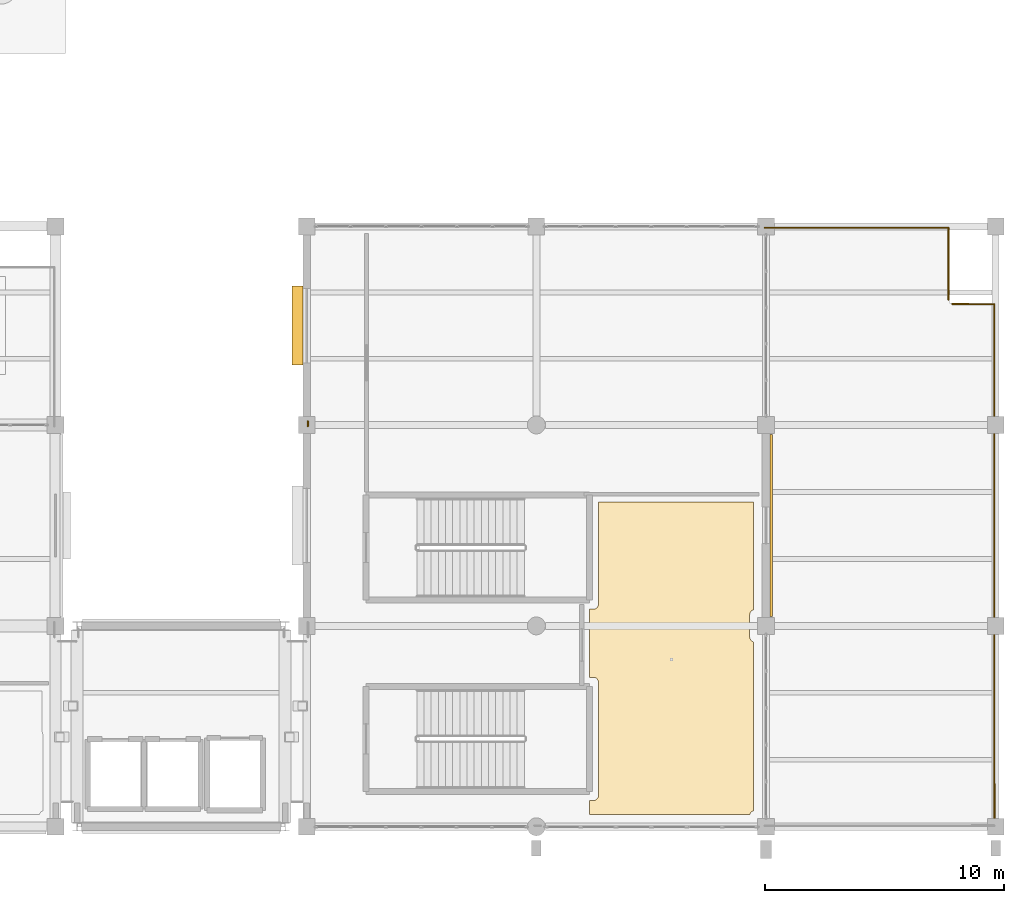
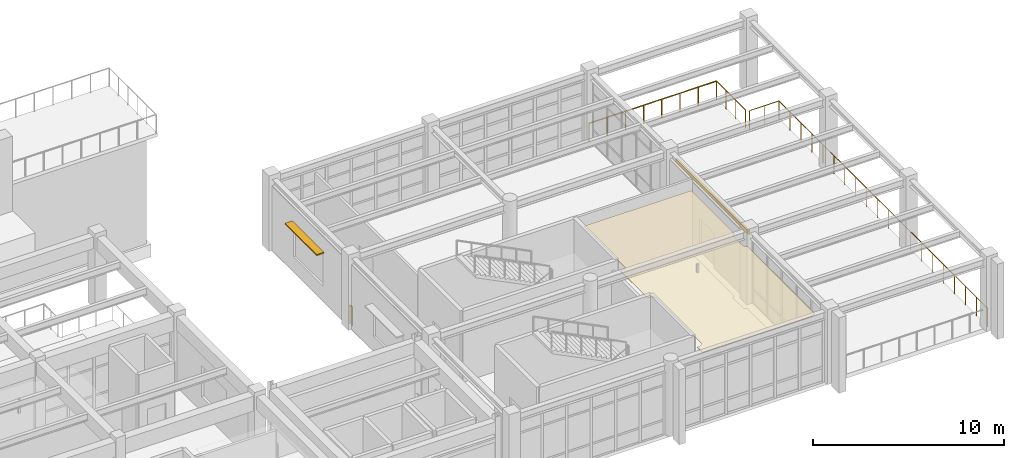
# One storey, part 97 of 98: 5 railings, 2 coverings, 1 shading device.
"""IFC4 building model written with IfcOpenShell, lengths in metres."""

from ifc_helpers import new_model, si_unit, direction, frame, origin, origin_2d, place, context, subcontext, project, spatial, polyline, rectangle, circle, outline, extrude, material, layer, layer_set, type_object, element, save


model = new_model("IFC4")

# Units and contexts
model_context = context("Model", 3, precision=1e-05, world=origin(), true_north=direction((0.0, 1.0)))
body_context = subcontext(model_context, "Body", "Model", "MODEL_VIEW")
ifc_project = project(units=[si_unit("LENGTHUNIT", "METRE"), si_unit("AREAUNIT", "SQUARE_METRE"), si_unit("VOLUMEUNIT", "CUBIC_METRE"), si_unit("PLANEANGLEUNIT", "RADIAN"), si_unit("MASSUNIT", "GRAM", prefix="KILO")], contexts=[model_context])

# Site, building, storey
site_placement = place(None, origin())
site = spatial("IfcSite", under=ifc_project, at=site_placement, CompositionType="ELEMENT")
building_placement = place(site_placement, origin())
building = spatial("IfcBuilding", under=site, at=building_placement, Name="Canglan Escarpment Cableway Terminal", CompositionType="ELEMENT")
storey_placement = place(building_placement, frame((0.0, 0.0, 9.60009765625)))
storey = spatial("IfcBuildingStorey", under=building, at=storey_placement, Name="L02", CompositionType="ELEMENT", Elevation=9.60009765625)

# Coverings
ifc_material_1 = material(Name="Micro-perforated acoustic aluminium ceiling", Category="aluminium")
ifc_layer_1 = layer(ifc_material_1, 0.0400390625, Name="Micro-perforated acoustic aluminium ceiling")
ifc_layer_set_1 = layer_set([ifc_layer_1], Name="Micro-perforated acoustic aluminium ceiling")
covering_type_1 = type_object("IfcCoveringType", Name="COV-CEIL-ACOUSTIC-40", PredefinedType="CEILING", material=ifc_layer_set_1)
covering_1_placement = place(storey_placement, frame((0.0, 0.0, 3.9619140625)))
element("IfcCovering", 1, at=covering_1_placement, inside=storey, type_object=covering_type_1, Name="Artisan Pastry Kitchen suspended acoustic ceiling", PredefinedType="CEILING", context=body_context, shape_type="SweptSolid", body=[
    extrude(outline(polyline([(165.73291015625, 8.533203125), (165.732177734375, 8.531494140625), (165.731201171875, 8.529541015625), (165.72998046875, 8.52783203125), (165.728515625, 8.5263671875), (165.72705078125, 8.52490234375), (165.7255859375, 8.523681640625), (165.723876953125, 8.522705078125), (165.721923828125, 8.521728515625), (165.719970703125, 8.52099609375), (165.718017578125, 8.5205078125), (165.716064453125, 8.52001953125), (165.714111328125, 8.52001953125), (159.0400390625, 8.52001953125), (159.0380859375, 8.52001953125), (159.0361328125, 8.5205078125), (159.0341796875, 8.52099609375), (159.0322265625, 8.521484375), (159.030517578125, 8.5224609375), (159.02880859375, 8.5234375), (159.02734375, 8.5244140625), (159.02587890625, 8.52587890625), (159.0244140625, 8.52734375), (159.0234375, 8.52880859375), (159.0224609375, 8.530517578125), (159.021484375, 8.5322265625), (159.02099609375, 8.5341796875), (159.0205078125, 8.5361328125), (159.02001953125, 8.5380859375), (159.02001953125, 8.5400390625), (159.02001953125, 9.080078125), (159.02001953125, 9.08203125), (159.0205078125, 9.083984375), (159.02099609375, 9.085693359375), (159.021484375, 9.087646484375), (159.0224609375, 9.08935546875), (159.0234375, 9.091064453125), (159.0244140625, 9.0927734375), (159.02587890625, 9.093994140625), (159.02734375, 9.095458984375), (159.02880859375, 9.0966796875), (159.030517578125, 9.09765625), (159.0322265625, 9.098388671875), (159.0341796875, 9.09912109375), (159.0361328125, 9.099609375), (159.0380859375, 9.099853515625), (159.0400390625, 9.10009765625), (159.1796875, 9.10009765625), (159.18017578125, 9.10009765625), (159.201171875, 9.10107421875), (159.201904296875, 9.10107421875), (159.222412109375, 9.104248046875), (159.223388671875, 9.104248046875), (159.243408203125, 9.109375), (159.244384765625, 9.109619140625), (159.263671875, 9.11669921875), (159.2646484375, 9.116943359375), (159.283203125, 9.125732421875), (159.2841796875, 9.126220703125), (159.3017578125, 9.13671875), (159.302490234375, 9.137451171875), (159.319091796875, 9.149658203125), (159.31982421875, 9.150390625), (159.335205078125, 9.1640625), (159.3359375, 9.164794921875), (159.349609375, 9.18017578125), (159.350341796875, 9.180908203125), (159.362548828125, 9.197509765625), (159.36328125, 9.1982421875), (159.373779296875, 9.2158203125), (159.374267578125, 9.216796875), (159.383056640625, 9.2353515625), (159.38330078125, 9.236328125), (159.390380859375, 9.255615234375), (159.390625, 9.256591796875), (159.395751953125, 9.276611328125), (159.395751953125, 9.277587890625), (159.39892578125, 9.298095703125), (159.39892578125, 9.298828125), (159.39990234375, 9.31982421875), (159.39990234375, 9.3203125), (159.39990234375, 14.02978515625), (159.39990234375, 14.0302734375), (159.39892578125, 14.051025390625), (159.39892578125, 14.052001953125), (159.395751953125, 14.072509765625), (159.395751953125, 14.073486328125), (159.390625, 14.093505859375), (159.390380859375, 14.09423828125), (159.38330078125, 14.11376953125), (159.383056640625, 14.114501953125), (159.374267578125, 14.13330078125), (159.373779296875, 14.134033203125), (159.36328125, 14.15185546875), (159.362548828125, 14.152587890625), (159.350341796875, 14.169189453125), (159.349609375, 14.169921875), (159.3359375, 14.185302734375), (159.335205078125, 14.185791015625), (159.31982421875, 14.19970703125), (159.319091796875, 14.200439453125), (159.302490234375, 14.212646484375), (159.3017578125, 14.213134765625), (159.2841796875, 14.223876953125), (159.283203125, 14.22412109375), (159.2646484375, 14.23291015625), (159.263671875, 14.2333984375), (159.244384765625, 14.240478515625), (159.243408203125, 14.240478515625), (159.223388671875, 14.24560546875), (159.222412109375, 14.245849609375), (159.201904296875, 14.248779296875), (159.201171875, 14.2490234375), (159.18017578125, 14.25), (159.1796875, 14.25), (159.0400390625, 14.25), (159.0380859375, 14.25), (159.0361328125, 14.25048828125), (159.0341796875, 14.2509765625), (159.0322265625, 14.25146484375), (159.030517578125, 14.25244140625), (159.02880859375, 14.25341796875), (159.02734375, 14.25439453125), (159.02587890625, 14.255859375), (159.0244140625, 14.25732421875), (159.0234375, 14.2587890625), (159.0224609375, 14.260498046875), (159.021484375, 14.26220703125), (159.02099609375, 14.26416015625), (159.0205078125, 14.26611328125), (159.02001953125, 14.26806640625), (159.02001953125, 14.27001953125), (159.02001953125, 17.080078125), (159.02001953125, 17.08203125), (159.0205078125, 17.083984375), (159.02099609375, 17.085693359375), (159.021484375, 17.087646484375), (159.0224609375, 17.08935546875), (159.0234375, 17.091064453125), (159.0244140625, 17.0927734375), (159.02587890625, 17.093994140625), (159.02734375, 17.095458984375), (159.02880859375, 17.0966796875), (159.030517578125, 17.09765625), (159.0322265625, 17.098388671875), (159.0341796875, 17.09912109375), (159.0361328125, 17.099609375), (159.0380859375, 17.099853515625), (159.0400390625, 17.10009765625), (159.1796875, 17.10009765625), (159.18017578125, 17.10009765625), (159.201171875, 17.10107421875), (159.201904296875, 17.10107421875), (159.222412109375, 17.104248046875), (159.223388671875, 17.104248046875), (159.243408203125, 17.109375), (159.244384765625, 17.109619140625), (159.263671875, 17.11669921875), (159.2646484375, 17.116943359375), (159.283203125, 17.125732421875), (159.2841796875, 17.126220703125), (159.3017578125, 17.13671875), (159.302490234375, 17.137451171875), (159.319091796875, 17.149658203125), (159.31982421875, 17.150390625), (159.335205078125, 17.1640625), (159.3359375, 17.164794921875), (159.349609375, 17.18017578125), (159.350341796875, 17.180908203125), (159.362548828125, 17.197509765625), (159.36328125, 17.1982421875), (159.373779296875, 17.2158203125), (159.374267578125, 17.216796875), (159.383056640625, 17.2353515625), (159.38330078125, 17.236328125), (159.390380859375, 17.255615234375), (159.390625, 17.256591796875), (159.395751953125, 17.276611328125), (159.395751953125, 17.277587890625), (159.39892578125, 17.298095703125), (159.39892578125, 17.298828125), (159.39990234375, 17.31982421875), (159.39990234375, 17.3203125), (159.39990234375, 21.56005859375), (159.400146484375, 21.56201171875), (159.400390625, 21.56396484375), (159.40087890625, 21.56591796875), (159.401611328125, 21.567626953125), (159.40234375, 21.5693359375), (159.4033203125, 21.571044921875), (159.404541015625, 21.57275390625), (159.406005859375, 21.57421875), (159.4072265625, 21.575439453125), (159.408935546875, 21.57666015625), (159.41064453125, 21.57763671875), (159.412353515625, 21.57861328125), (159.414306640625, 21.5791015625), (159.416015625, 21.57958984375), (159.41796875, 21.579833984375), (159.419921875, 21.580078125), (165.860107421875, 21.580078125), (165.862060546875, 21.579833984375), (165.864013671875, 21.57958984375), (165.86572265625, 21.5791015625), (165.86767578125, 21.57861328125), (165.869384765625, 21.57763671875), (165.87109375, 21.57666015625), (165.872802734375, 21.575439453125), (165.8740234375, 21.57421875), (165.87548828125, 21.57275390625), (165.876708984375, 21.571044921875), (165.877685546875, 21.5693359375), (165.87841796875, 21.567626953125), (165.879150390625, 21.56591796875), (165.879638671875, 21.56396484375), (165.8798828125, 21.56201171875), (165.8798828125, 21.56005859375), (165.8798828125, 17.0859375), (165.8798828125, 17.083984375), (165.879638671875, 17.082275390625), (165.879150390625, 17.080322265625), (165.878662109375, 17.07861328125), (165.877685546875, 17.076904296875), (165.876953125, 17.0751953125), (165.875732421875, 17.07373046875), (165.87451171875, 17.072265625), (165.873291015625, 17.071044921875), (165.87158203125, 17.06982421875), (165.8701171875, 17.06884765625), (165.868408203125, 17.06787109375), (165.86669921875, 17.067138671875), (165.856201171875, 17.0634765625), (165.85546875, 17.06298828125), (165.836669921875, 17.05419921875), (165.8359375, 17.0537109375), (165.818115234375, 17.043212890625), (165.8173828125, 17.04248046875), (165.80078125, 17.030517578125), (165.800048828125, 17.02978515625), (165.784912109375, 17.015869140625), (165.7841796875, 17.01513671875), (165.770263671875, 17.0), (165.76953125, 16.999267578125), (165.75732421875, 16.982666015625), (165.7568359375, 16.981689453125), (165.74609375, 16.964111328125), (165.745849609375, 16.96337890625), (165.737060546875, 16.944580078125), (165.736572265625, 16.943603515625), (165.7294921875, 16.92431640625), (165.7294921875, 16.92333984375), (165.724365234375, 16.9033203125), (165.72412109375, 16.90234375), (165.72119140625, 16.882080078125), (165.720947265625, 16.881103515625), (165.719970703125, 16.860107421875), (165.719970703125, 16.85986328125), (165.719970703125, 15.940185546875), (165.719970703125, 15.939697265625), (165.720947265625, 15.9189453125), (165.72119140625, 15.91796875), (165.72412109375, 15.897705078125), (165.724365234375, 15.896484375), (165.7294921875, 15.876708984375), (165.7294921875, 15.875732421875), (165.736572265625, 15.856201171875), (165.737060546875, 15.85546875), (165.745849609375, 15.836669921875), (165.74609375, 15.8359375), (165.7568359375, 15.818115234375), (165.75732421875, 15.8173828125), (165.76953125, 15.80078125), (165.770263671875, 15.800048828125), (165.7841796875, 15.784912109375), (165.784912109375, 15.7841796875), (165.800048828125, 15.770263671875), (165.80078125, 15.76953125), (165.8173828125, 15.75732421875), (165.818115234375, 15.7568359375), (165.8359375, 15.74609375), (165.836669921875, 15.745849609375), (165.85546875, 15.737060546875), (165.856201171875, 15.736572265625), (165.86669921875, 15.73291015625), (165.868408203125, 15.732177734375), (165.8701171875, 15.731201171875), (165.87158203125, 15.730224609375), (165.873291015625, 15.72900390625), (165.87451171875, 15.727783203125), (165.875732421875, 15.726318359375), (165.876953125, 15.724609375), (165.877685546875, 15.72314453125), (165.878662109375, 15.721435546875), (165.879150390625, 15.719482421875), (165.879638671875, 15.7177734375), (165.8798828125, 15.7158203125), (165.8798828125, 15.714111328125), (165.8798828125, 8.68603515625), (165.8798828125, 8.68408203125), (165.879638671875, 8.68212890625), (165.879150390625, 8.680419921875), (165.878662109375, 8.6787109375), (165.877685546875, 8.677001953125), (165.876953125, 8.67529296875), (165.875732421875, 8.673583984375), (165.87451171875, 8.67236328125), (165.873291015625, 8.6708984375), (165.87158203125, 8.669921875), (165.8701171875, 8.668701171875), (165.868408203125, 8.66796875), (165.86669921875, 8.667236328125), (165.856201171875, 8.663330078125), (165.85546875, 8.6630859375), (165.836669921875, 8.654296875), (165.8359375, 8.65380859375), (165.818115234375, 8.643310546875), (165.8173828125, 8.642578125), (165.80078125, 8.63037109375), (165.800048828125, 8.629638671875), (165.784912109375, 8.615966796875), (165.7841796875, 8.615234375), (165.770263671875, 8.599853515625), (165.76953125, 8.59912109375), (165.75732421875, 8.58251953125), (165.7568359375, 8.581787109375), (165.74609375, 8.564208984375), (165.745849609375, 8.563232421875), (165.737060546875, 8.544677734375), (165.736572265625, 8.543701171875), (165.73291015625, 8.533203125)])), origin(), (0.0, 0.0, 1.0), 0.0400390625),
])
ifc_material_2 = material(Name="Carved classical limestone cornice", Category="masonry")
ifc_layer_2 = layer(ifc_material_2, 0.1201171875, Name="Carved classical limestone cornice")
ifc_layer_set_2 = layer_set([ifc_layer_2], Name="Carved classical limestone cornice")
covering_type_2 = type_object("IfcCoveringType", Name="COV-CORNICE-STONE", PredefinedType="CLADDING", material=ifc_layer_set_2)
covering_2_placement = place(storey_placement, frame((166.6201171875, 20.60009765625, 3.8447265625), z_axis=(0.0, 0.0, 1.0), x_axis=(0.0, 1.0, 0.0)))
element("IfcCovering", 2, at=covering_2_placement, inside=storey, type_object=covering_type_2, Name="Classical carved limestone cornice CL-01", PredefinedType="CLADDING", context=body_context, shape_type="SweptSolid", body=[
    extrude(rectangle(XDim=7.60009765625, YDim=0.1201171875, at=origin_2d()), origin(), (0.0, 0.0, 1.0), 0.239990234375),
])

# Railings
ifc_material_3 = material(Name="Carved limestone and anodized bronze balustrade", Category="masonry")
railing_type = type_object("IfcRailingType", Name="RL-EXT-BALUSTRADE-1200", PredefinedType="BALUSTRADE", material=ifc_material_3)
railing_1_placement = place(storey_placement, frame((147.25, 24.739990234375, 0.0)))
element("IfcRailing", 3, at=railing_1_placement, inside=storey, type_object=railing_type, Name="Classical terrace balustrade guard GD-01 (L02)", PredefinedType="BALUSTRADE", context=body_context, shape_type="SweptSolid", body=[
    extrude(circle(Radius=0.02392578125, at=origin_2d()), frame((0.0, 0.0, 1.17578125), z_axis=(0.0, 1.0, 0.0), x_axis=(-1.0, 0.0, 0.0)), (0.0, 0.0, 1.0), 0.219970703125),
    extrude(circle(Radius=0.02099609375, at=origin_2d()), origin(), (0.0, 0.0, 1.0), 1.15185546875),
    extrude(circle(Radius=0.02099609375, at=origin_2d()), frame((0.0, 0.219970703125, 0.0)), (0.0, 0.0, 1.0), 1.15185546875),
])
railing_2_placement = place(storey_placement, frame((166.340087890625, 33.050048828125, 0.0)))
element("IfcRailing", 4, at=railing_2_placement, inside=storey, type_object=railing_type, Name="Classical terrace balustrade guard GD-01 (L02)", PredefinedType="BALUSTRADE", context=body_context, shape_type="SweptSolid", body=[
    extrude(circle(Radius=0.02392578125, at=origin_2d()), frame((0.0, 0.0, 1.17578125), z_axis=(1.0, 0.0, 0.0), x_axis=(0.0, 1.0, 0.0)), (0.0, 0.0, 1.0), 7.68798828125),
    extrude(circle(Radius=0.02099609375, at=origin_2d()), origin(), (0.0, 0.0, 1.0), 1.15185546875),
    extrude(circle(Radius=0.02099609375, at=origin_2d()), frame((1.098388671875, 0.0, 0.0)), (0.0, 0.0, 1.0), 1.15185546875),
    extrude(circle(Radius=0.02099609375, at=origin_2d()), frame((2.196533203125, 0.0, 0.0)), (0.0, 0.0, 1.0), 1.15185546875),
    extrude(circle(Radius=0.02099609375, at=origin_2d()), frame((3.294921875, 0.0, 0.0)), (0.0, 0.0, 1.0), 1.15185546875),
    extrude(circle(Radius=0.02099609375, at=origin_2d()), frame((4.39306640625, 0.0, 0.0)), (0.0, 0.0, 1.0), 1.15185546875),
    extrude(circle(Radius=0.02099609375, at=origin_2d()), frame((5.491455078125, 0.0, 0.0)), (0.0, 0.0, 1.0), 1.15185546875),
    extrude(circle(Radius=0.02099609375, at=origin_2d()), frame((6.589599609375, 0.0, 0.0)), (0.0, 0.0, 1.0), 1.15185546875),
    extrude(circle(Radius=0.02099609375, at=origin_2d()), frame((7.68798828125, 0.0, 0.0)), (0.0, 0.0, 1.0), 1.15185546875),
])
railing_3_placement = place(storey_placement, frame((174.028076171875, 33.050048828125, 0.0)))
element("IfcRailing", 5, at=railing_3_placement, inside=storey, type_object=railing_type, Name="Classical terrace balustrade guard GD-01 (L02)", PredefinedType="BALUSTRADE", context=body_context, shape_type="SweptSolid", body=[
    extrude(circle(Radius=0.02392578125, at=origin_2d()), frame((0.0, 0.0, 1.17578125), z_axis=(0.000646725815, -0.999999790873, 0.0), x_axis=(0.999999790873, 0.000646725815, 0.0)), (0.0, 0.0, 1.0), 3.02001953125),
    extrude(circle(Radius=0.02099609375, at=origin_2d()), origin(), (0.0, 0.0, 1.0), 1.15185546875),
    extrude(circle(Radius=0.02099609375, at=origin_2d()), frame((0.000732421875, -1.006591796875, 0.0)), (0.0, 0.0, 1.0), 1.15185546875),
    extrude(circle(Radius=0.02099609375, at=origin_2d()), frame((0.001220703125, -2.013427734375, 0.0)), (0.0, 0.0, 1.0), 1.15185546875),
    extrude(circle(Radius=0.02099609375, at=origin_2d()), frame((0.001953125, -3.02001953125, 0.0)), (0.0, 0.0, 1.0), 1.15185546875),
])
railing_4_placement = place(storey_placement, frame((174.179443359375, 29.856201171875, 0.0)))
element("IfcRailing", 6, at=railing_4_placement, inside=storey, type_object=railing_type, Name="Classical terrace balustrade guard GD-01 (L02)", PredefinedType="BALUSTRADE", context=body_context, shape_type="SweptSolid", body=[
    extrude(circle(Radius=0.02392578125, at=origin_2d()), frame((0.0, 0.0, 1.17578125), z_axis=(0.999994044897, -0.003451111419, 0.0), x_axis=(0.003451111419, 0.999994044897, 0.0)), (0.0, 0.0, 1.0), 1.7685546875),
    extrude(circle(Radius=0.02099609375, at=origin_2d()), origin(), (0.0, 0.0, 1.0), 1.15185546875),
    extrude(circle(Radius=0.02099609375, at=origin_2d()), frame((0.88427734375, -0.0029296875, 0.0)), (0.0, 0.0, 1.0), 1.15185546875),
    extrude(circle(Radius=0.02099609375, at=origin_2d()), frame((1.7685546875, -0.006103515625, 0.0)), (0.0, 0.0, 1.0), 1.15185546875),
])
railing_5_placement = place(storey_placement, frame((175.947998046875, 29.85009765625, 0.0)))
element("IfcRailing", 7, at=railing_5_placement, inside=storey, type_object=railing_type, Name="Classical terrace balustrade guard GD-01 (L02)", PredefinedType="BALUSTRADE", context=body_context, shape_type="SweptSolid", body=[
    extrude(circle(Radius=0.02392578125, at=origin_2d()), frame((0.0, 0.0, 1.17578125), z_axis=(8.9600716e-05, -0.999999995986, 0.0), x_axis=(0.999999995986, 8.9600716e-05, 0.0)), (0.0, 0.0, 1.0), 21.798095703125),
    extrude(circle(Radius=0.02099609375, at=origin_2d()), origin(), (0.0, 0.0, 1.0), 1.15185546875),
    extrude(circle(Radius=0.02099609375, at=origin_2d()), frame((0.0, -1.147216796875, 0.0)), (0.0, 0.0, 1.0), 1.15185546875),
    extrude(circle(Radius=0.02099609375, at=origin_2d()), frame((0.000244140625, -2.29443359375, 0.0)), (0.0, 0.0, 1.0), 1.15185546875),
    extrude(circle(Radius=0.02099609375, at=origin_2d()), frame((0.000244140625, -3.44189453125, 0.0)), (0.0, 0.0, 1.0), 1.15185546875),
    extrude(circle(Radius=0.02099609375, at=origin_2d()), frame((0.00048828125, -4.589111328125, 0.0)), (0.0, 0.0, 1.0), 1.15185546875),
    extrude(circle(Radius=0.02099609375, at=origin_2d()), frame((0.00048828125, -5.736328125, 0.0)), (0.0, 0.0, 1.0), 1.15185546875),
    extrude(circle(Radius=0.02099609375, at=origin_2d()), frame((0.000732421875, -6.883544921875, 0.0)), (0.0, 0.0, 1.0), 1.15185546875),
    extrude(circle(Radius=0.02099609375, at=origin_2d()), frame((0.000732421875, -8.03076171875, 0.0)), (0.0, 0.0, 1.0), 1.15185546875),
    extrude(circle(Radius=0.02099609375, at=origin_2d()), frame((0.000732421875, -9.17822265625, 0.0)), (0.0, 0.0, 1.0), 1.15185546875),
    extrude(circle(Radius=0.02099609375, at=origin_2d()), frame((0.0009765625, -10.325439453125, 0.0)), (0.0, 0.0, 1.0), 1.15185546875),
    extrude(circle(Radius=0.02099609375, at=origin_2d()), frame((0.0009765625, -11.47265625, 0.0)), (0.0, 0.0, 1.0), 1.15185546875),
    extrude(circle(Radius=0.02099609375, at=origin_2d()), frame((0.001220703125, -12.619873046875, 0.0)), (0.0, 0.0, 1.0), 1.15185546875),
    extrude(circle(Radius=0.02099609375, at=origin_2d()), frame((0.001220703125, -13.767333984375, 0.0)), (0.0, 0.0, 1.0), 1.15185546875),
    extrude(circle(Radius=0.02099609375, at=origin_2d()), frame((0.001220703125, -14.91455078125, 0.0)), (0.0, 0.0, 1.0), 1.15185546875),
    extrude(circle(Radius=0.02099609375, at=origin_2d()), frame((0.00146484375, -16.061767578125, 0.0)), (0.0, 0.0, 1.0), 1.15185546875),
    extrude(circle(Radius=0.02099609375, at=origin_2d()), frame((0.00146484375, -17.208984375, 0.0)), (0.0, 0.0, 1.0), 1.15185546875),
    extrude(circle(Radius=0.02099609375, at=origin_2d()), frame((0.001708984375, -18.356201171875, 0.0)), (0.0, 0.0, 1.0), 1.15185546875),
    extrude(circle(Radius=0.02099609375, at=origin_2d()), frame((0.001708984375, -19.503662109375, 0.0)), (0.0, 0.0, 1.0), 1.15185546875),
    extrude(circle(Radius=0.02099609375, at=origin_2d()), frame((0.001953125, -20.65087890625, 0.0)), (0.0, 0.0, 1.0), 1.15185546875),
    extrude(circle(Radius=0.02099609375, at=origin_2d()), frame((0.001953125, -21.798095703125, 0.0)), (0.0, 0.0, 1.0), 1.15185546875),
])

# Shading device
ifc_material_4 = material(Name="Anodized architectural bronze aluminium", Category="aluminium")
ifc_layer_3 = layer(ifc_material_4, 0.10009765625, Name="Anodized architectural bronze aluminium")
ifc_layer_set_3 = layer_set([ifc_layer_3], Name="Anodized architectural bronze aluminium")
shading_device_type = type_object("IfcShadingDeviceType", Name="SHD-BRONZE-LOUVRE-02", PredefinedType="JALOUSIE", material=ifc_layer_set_3)
shading_device_placement = place(storey_placement, frame((146.81494140625, 28.949951171875, 3.119873046875), z_axis=(0.0, 0.0, 1.0), x_axis=(0.0, -1.0, 0.0)))
element("IfcShadingDevice", 8, at=shading_device_placement, inside=storey, type_object=shading_device_type, Name="Anodized bronze sun-shading brise-soleil SD-01", PredefinedType="JALOUSIE", context=body_context, shape_type="SweptSolid", body=[
    extrude(rectangle(XDim=3.300048828125, YDim=0.449951171875, at=origin_2d()), origin(), (0.0, 0.0, 1.0), 0.080078125),
])

save(model, "model.ifc")
